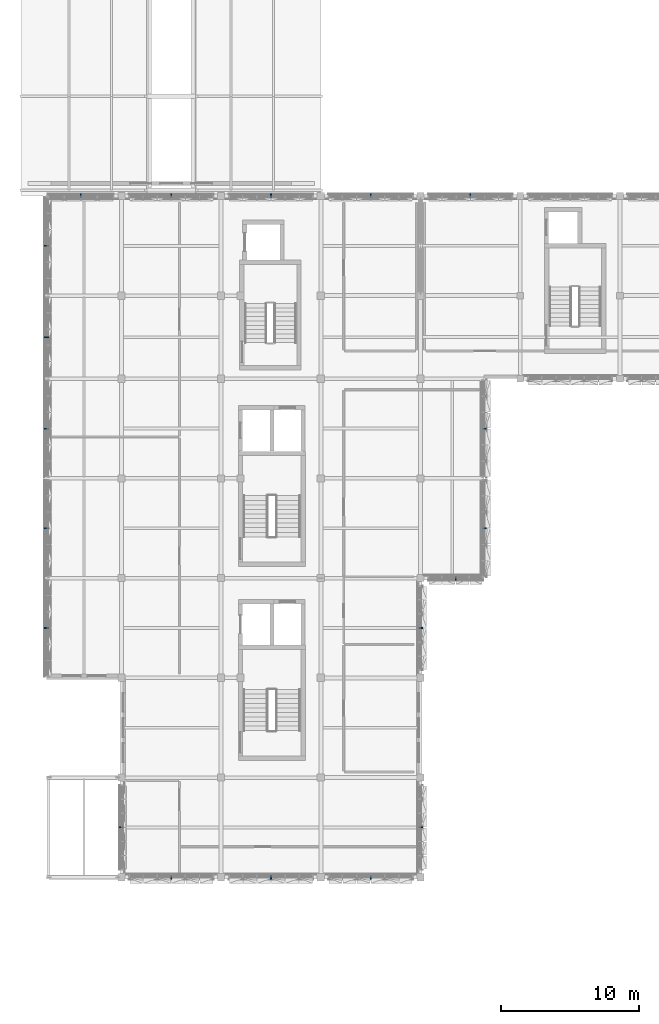
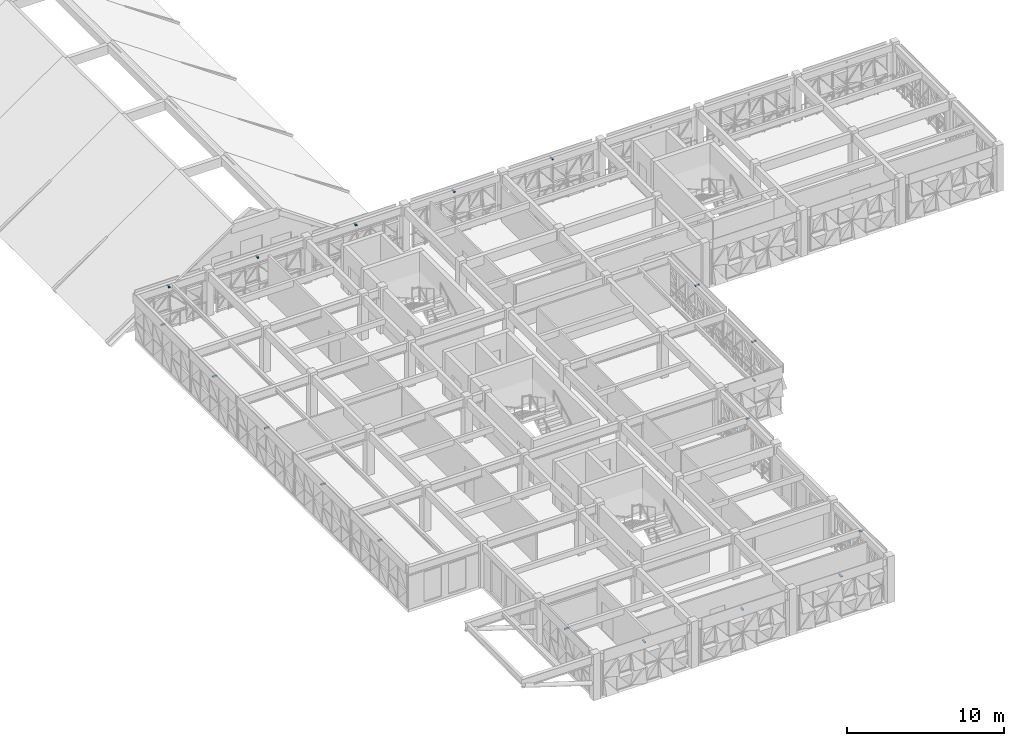
# One storey, part 38 of 48: 19 discrete accessories.
"""IFC4 building model written with IfcOpenShell, lengths in metres."""

from ifc_helpers import new_model, si_unit, direction, frame, origin, origin_2d, place, context, subcontext, project, spatial, rectangle, extrude, material, type_object, element, save


model = new_model("IFC4")

# Units and contexts
model_context = context("Model", 3, precision=1e-05, world=origin(), true_north=direction((0.0, 1.0)))
body_context = subcontext(model_context, "Body", "Model", "MODEL_VIEW")
ifc_project = project(units=[si_unit("LENGTHUNIT", "METRE"), si_unit("AREAUNIT", "SQUARE_METRE"), si_unit("VOLUMEUNIT", "CUBIC_METRE"), si_unit("PLANEANGLEUNIT", "RADIAN"), si_unit("MASSUNIT", "GRAM", prefix="KILO")], contexts=[model_context])

# Site, building, storey
site_placement = place(None, origin())
site = spatial("IfcSite", under=ifc_project, at=site_placement, CompositionType="ELEMENT")
building_placement = place(site_placement, origin())
building = spatial("IfcBuilding", under=site, at=building_placement, Name="Alvorim Cloister Faculty of Sciences", CompositionType="ELEMENT")
storey_placement = place(building_placement, frame((0.0, 0.0, 19.35009765625)))
storey = spatial("IfcBuildingStorey", under=building, at=storey_placement, Name="L05", CompositionType="ELEMENT", Elevation=19.35009765625)

# Discrete accessories
ifc_material = material(Name="Aluminium Alloy 6063-T6", Category="aluminium")
discrete_accessory_type = type_object("IfcDiscreteAccessoryType", Name="ACC-DIAG-BAR", PredefinedType="BRACKET", material=ifc_material)
for number, where, z_axis, x_axis, name in (
    (1, (7.340087890625, 10.800048828125, 3.224853515625), (-1.0, 0.0, 0.0), (0.0, -1.0, 0.0), "Slab-Edge Fascia Tie Bracket ACC-02293"),
    (2, (1.93994140625, 25.199951171875, 3.228515625), (-1.0, 0.0, 0.0), (0.0, -1.0, 0.0), "Slab-Edge Fascia Tie Bracket ACC-02306"),
    (3, (1.93994140625, 32.39990234375, 3.228515625), (-1.0, 0.0, 0.0), (0.0, -1.0, 0.0), "Slab-Edge Fascia Tie Bracket ACC-02319"),
    (4, (1.93994140625, 39.60009765625, 3.228515625), (-1.0, 0.0, 0.0), (0.0, -1.0, 0.0), "Slab-Edge Fascia Tie Bracket ACC-02332"),
    (5, (1.93994140625, 46.199951171875, 3.228515625), (-1.0, 0.0, 0.0), (0.0, -1.0, 0.0), "Slab-Edge Fascia Tie Bracket ACC-02343"),
    (6, (1.93994140625, 52.800048828125, 3.228515625), (-1.0, 0.0, 0.0), (0.0, -1.0, 0.0), "Slab-Edge Fascia Tie Bracket ACC-02356"),
    (7, (4.27001953125, 56.260009765625, 3.15283203125), (0.0, 1.0, 0.0), (-1.0, 0.0, 0.0), "Slab-Edge Fascia Tie Bracket ACC-02365"),
    (8, (10.800048828125, 56.260009765625, 3.15283203125), (0.0, 1.0, 0.0), (-1.0, 0.0, 0.0), "Slab-Edge Fascia Tie Bracket ACC-02378"),
    (9, (18.0, 56.260009765625, 3.15283203125), (0.0, 1.0, 0.0), (-1.0, 0.0, 0.0), "Slab-Edge Fascia Tie Bracket ACC-02391"),
    (10, (25.199951171875, 56.260009765625, 3.224853515625), (0.0, 1.0, 0.0), (-1.0, 0.0, 0.0), "Slab-Edge Fascia Tie Bracket ACC-02404"),
    (11, (32.39990234375, 56.260009765625, 3.224853515625), (0.0, 1.0, 0.0), (-1.0, 0.0, 0.0), "Slab-Edge Fascia Tie Bracket ACC-02417"),
    (12, (33.260009765625, 39.60009765625, 3.228515625), (1.0, 0.0, 0.0), (0.0, 1.0, 0.0), "Slab-Edge Fascia Tie Bracket ACC-02530"),
    (13, (33.260009765625, 32.39990234375, 3.228515625), (1.0, 0.0, 0.0), (0.0, 1.0, 0.0), "Slab-Edge Fascia Tie Bracket ACC-02543"),
    (14, (31.330078125, 28.93994140625, 3.15283203125), (0.0, -1.0, 0.0), (1.0, 0.0, 0.0), "Slab-Edge Fascia Tie Bracket ACC-02552"),
    (15, (28.659912109375, 25.199951171875, 3.224853515625), (1.0, 0.0, 0.0), (0.0, 1.0, 0.0), "Slab-Edge Fascia Tie Bracket ACC-02565"),
    (16, (28.659912109375, 10.800048828125, 3.224853515625), (1.0, 0.0, 0.0), (0.0, 1.0, 0.0), "Slab-Edge Fascia Tie Bracket ACC-02578"),
    (17, (25.199951171875, 7.340087890625, 3.224853515625), (0.0, -1.0, 0.0), (1.0, 0.0, 0.0), "Slab-Edge Fascia Tie Bracket ACC-02591"),
    (18, (18.0, 7.340087890625, 3.15283203125), (0.0, -1.0, 0.0), (1.0, 0.0, 0.0), "Slab-Edge Fascia Tie Bracket ACC-02604"),
    (19, (10.800048828125, 7.340087890625, 3.15283203125), (0.0, -1.0, 0.0), (1.0, 0.0, 0.0), "Slab-Edge Fascia Tie Bracket ACC-02617"),
):
    element("IfcDiscreteAccessory", number, at=place(storey_placement, frame(where, z_axis=z_axis, x_axis=x_axis)), inside=storey, type_object=discrete_accessory_type, Name=name, PredefinedType="BRACKET", context=body_context, shape_type="SweptSolid", body=[
        extrude(rectangle(XDim=0.080078125, YDim=0.080078125, at=origin_2d()), origin(), (0.0, 0.0, 1.0), 0.300048828125),
    ])

save(model, "model.ifc")
